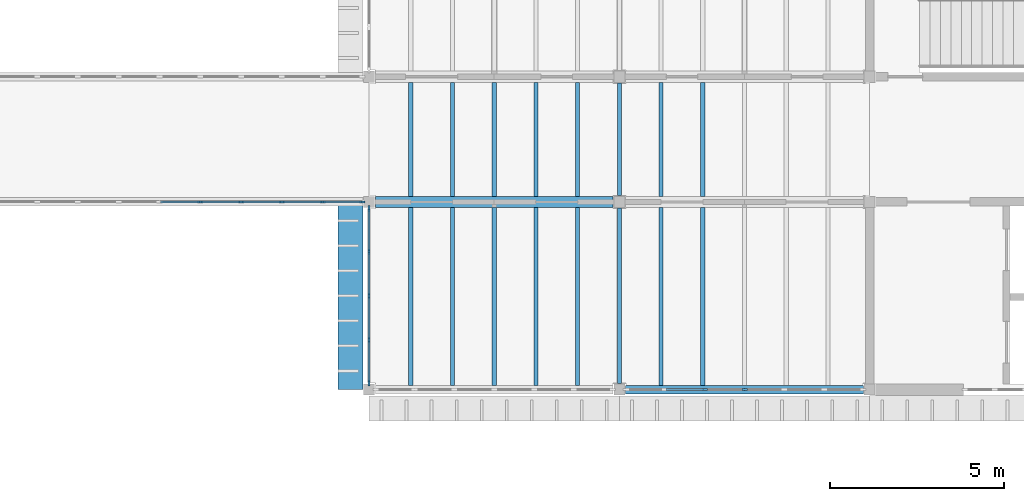
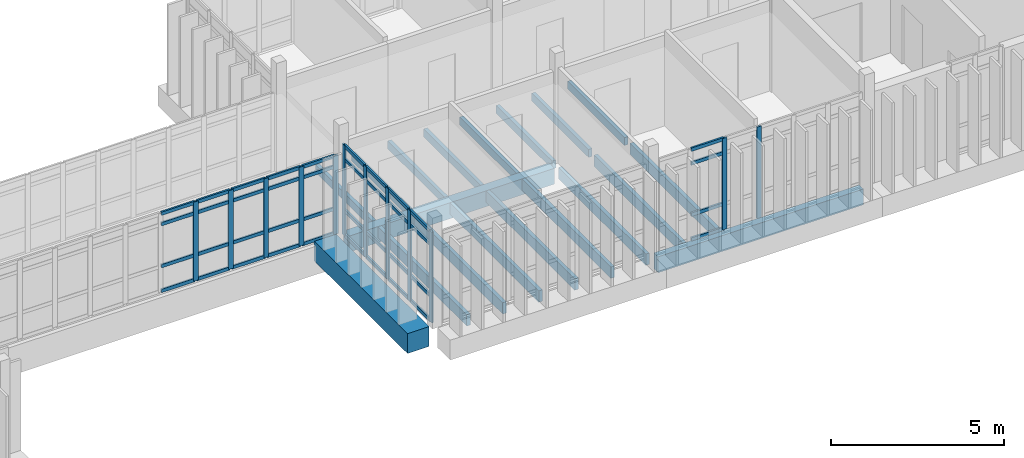
# One storey, part 15 of 71: 53 members, 18 beams, 3 elements without a shape of their own.
"""IFC4 building model written with IfcOpenShell, lengths in metres."""

from ifc_helpers import new_model, si_unit, direction, frame, origin, origin_2d, place, context, subcontext, project, spatial, rectangle, extrude, material, layer, layer_set, material_profile, profile_set, type_object, element, aggregate, save


model = new_model("IFC4")

# Units and contexts
model_context = context("Model", 3, precision=1e-05, world=origin(), true_north=direction((0.0, 1.0)))
body_context = subcontext(model_context, "Body", "Model", "MODEL_VIEW")
ifc_project = project(units=[si_unit("LENGTHUNIT", "METRE"), si_unit("AREAUNIT", "SQUARE_METRE"), si_unit("VOLUMEUNIT", "CUBIC_METRE"), si_unit("PLANEANGLEUNIT", "RADIAN"), si_unit("MASSUNIT", "GRAM", prefix="KILO")], contexts=[model_context])

# Site, building, storey
site_placement = place(None, origin())
site = spatial("IfcSite", under=ifc_project, at=site_placement, CompositionType="ELEMENT")
building_placement = place(site_placement, origin())
building = spatial("IfcBuilding", under=site, at=building_placement, Name="Mazhai Court Health Centre", CompositionType="ELEMENT")
storey_placement = place(building_placement, frame((0.0, 0.0, 10.199951171875)))
storey = spatial("IfcBuildingStorey", under=building, at=storey_placement, Name="L02", CompositionType="ELEMENT", Elevation=10.199951171875)

# Curtain wall, members
ifc_material_1 = material(Name="Teak timber frame, glazed", Category="wood")
ifc_layer = layer(ifc_material_1, 0.10009765625)
ifc_layer_set = layer_set([ifc_layer], Name="CURTAIN WALL TIMBER 1200")
curtain_wall_type = type_object("IfcCurtainWallType", Name="CURTAIN WALL TIMBER 1200", PredefinedType="NOTDEFINED", material=ifc_layer_set)
curtain_wall_1_placement = place(storey_placement, origin())
curtain_wall_1 = element("IfcCurtainWall", 1, at=curtain_wall_1_placement, inside=storey, type_object=curtain_wall_type, Name="CW-V4-L02-A6", PredefinedType="NOTDEFINED")
ifc_material_2 = material(Name="Teak timber", Category="wood")
ifc_material_profile_1 = material_profile(ifc_material_2, rectangle(XDim=0.06005859375, YDim=0.159912109375, at=origin_2d()), Name="CW MULLION 60x160")
ifc_profile_set_1 = profile_set([ifc_material_profile_1], Name="Teak timber")
member_type_1 = type_object("IfcMemberType", Name="CW MULLION 60x160", PredefinedType="MULLION", material=ifc_profile_set_1)
member_1_placement = place(storey_placement, frame((117.800048828125, 13.39990234375, 0.0), z_axis=(0.0, 0.0, 1.0), x_axis=(0.0, -1.0, 0.0)))
member_1 = element("IfcMember", 2, at=member_1_placement, type_object=member_type_1, Name="CW mullion 4", PredefinedType="MULLION", context=body_context, shape_type="SweptSolid", body=[
    extrude(rectangle(XDim=0.06005859375, YDim=0.159912109375, at=origin_2d()), origin(), (0.0, 0.0, 1.0), 3.219970703125),
])
member_2_placement = place(storey_placement, frame((116.6533203125, 13.39990234375, 0.0), z_axis=(0.0, 0.0, 1.0), x_axis=(0.0, -1.0, 0.0)))
member_2 = element("IfcMember", 3, at=member_2_placement, type_object=member_type_1, Name="CW mullion 5", PredefinedType="MULLION", context=body_context, shape_type="SweptSolid", body=[
    extrude(rectangle(XDim=0.06005859375, YDim=0.159912109375, at=origin_2d()), origin(), (0.0, 0.0, 1.0), 3.219970703125),
])

curtain_wall_2_placement = place(storey_placement, origin())
curtain_wall_2 = element("IfcCurtainWall", 4, at=curtain_wall_2_placement, inside=storey, type_object=curtain_wall_type, Name="CW-V4-L02-CW5-0", PredefinedType="NOTDEFINED")
member_3_placement = place(storey_placement, frame((107.0, 13.590087890625, 0.0), z_axis=(0.0, 0.0, 1.0), x_axis=(-1.0, 0.0, 0.0)))
member_3 = element("IfcMember", 5, at=member_3_placement, type_object=member_type_1, Name="CW mullion 1", PredefinedType="MULLION", context=body_context, shape_type="SweptSolid", body=[
    extrude(rectangle(XDim=0.06005859375, YDim=0.159912109375, at=origin_2d()), origin(), (0.0, 0.0, 1.0), 3.199951171875),
])
member_4_placement = place(storey_placement, frame((107.0, 14.830078125, 0.0), z_axis=(0.0, 0.0, 1.0), x_axis=(-1.0, 0.0, 0.0)))
member_4 = element("IfcMember", 6, at=member_4_placement, type_object=member_type_1, Name="CW mullion 2", PredefinedType="MULLION", context=body_context, shape_type="SweptSolid", body=[
    extrude(rectangle(XDim=0.06005859375, YDim=0.159912109375, at=origin_2d()), origin(), (0.0, 0.0, 1.0), 3.199951171875),
])
member_5_placement = place(storey_placement, frame((107.0, 16.10009765625, 0.0), z_axis=(0.0, 0.0, 1.0), x_axis=(-1.0, 0.0, 0.0)))
member_5 = element("IfcMember", 7, at=member_5_placement, type_object=member_type_1, Name="CW mullion 3", PredefinedType="MULLION", context=body_context, shape_type="SweptSolid", body=[
    extrude(rectangle(XDim=0.06005859375, YDim=0.159912109375, at=origin_2d()), origin(), (0.0, 0.0, 1.0), 3.199951171875),
])
member_6_placement = place(storey_placement, frame((107.0, 17.3701171875, 0.0), z_axis=(0.0, 0.0, 1.0), x_axis=(-1.0, 0.0, 0.0)))
member_6 = element("IfcMember", 8, at=member_6_placement, type_object=member_type_1, Name="CW mullion 4", PredefinedType="MULLION", context=body_context, shape_type="SweptSolid", body=[
    extrude(rectangle(XDim=0.06005859375, YDim=0.159912109375, at=origin_2d()), origin(), (0.0, 0.0, 1.0), 3.199951171875),
])
member_7_placement = place(storey_placement, frame((107.0, 18.610107421875, 0.0), z_axis=(0.0, 0.0, 1.0), x_axis=(-1.0, 0.0, 0.0)))
member_7 = element("IfcMember", 9, at=member_7_placement, type_object=member_type_1, Name="CW mullion 5", PredefinedType="MULLION", context=body_context, shape_type="SweptSolid", body=[
    extrude(rectangle(XDim=0.06005859375, YDim=0.159912109375, at=origin_2d()), origin(), (0.0, 0.0, 1.0), 3.199951171875),
])

curtain_wall_3_placement = place(storey_placement, origin())
curtain_wall_3 = element("IfcCurtainWall", 10, at=curtain_wall_3_placement, inside=storey, type_object=curtain_wall_type, Name="CW-BR-LC2-S", PredefinedType="NOTDEFINED")
member_8_placement = place(storey_placement, frame((102.146728515625, 18.800048828125, 0.0), z_axis=(0.0, 0.0, 1.0), x_axis=(0.0, 1.0, 0.0)))
member_8 = element("IfcMember", 11, at=member_8_placement, type_object=member_type_1, Name="CW mullion 9", PredefinedType="MULLION", context=body_context, shape_type="SweptSolid", body=[
    extrude(rectangle(XDim=0.06005859375, YDim=0.159912109375, at=origin_2d()), origin(), (0.0, 0.0, 1.0), 2.780029296875),
])
member_9_placement = place(storey_placement, frame((103.320068359375, 18.800048828125, 0.0), z_axis=(0.0, 0.0, 1.0), x_axis=(0.0, 1.0, 0.0)))
member_9 = element("IfcMember", 12, at=member_9_placement, type_object=member_type_1, Name="CW mullion 10", PredefinedType="MULLION", context=body_context, shape_type="SweptSolid", body=[
    extrude(rectangle(XDim=0.06005859375, YDim=0.159912109375, at=origin_2d()), origin(), (0.0, 0.0, 1.0), 2.780029296875),
])
member_10_placement = place(storey_placement, frame((104.493408203125, 18.800048828125, 0.0), z_axis=(0.0, 0.0, 1.0), x_axis=(0.0, 1.0, 0.0)))
member_10 = element("IfcMember", 13, at=member_10_placement, type_object=member_type_1, Name="CW mullion 11", PredefinedType="MULLION", context=body_context, shape_type="SweptSolid", body=[
    extrude(rectangle(XDim=0.06005859375, YDim=0.159912109375, at=origin_2d()), origin(), (0.0, 0.0, 1.0), 2.780029296875),
])
member_11_placement = place(storey_placement, frame((105.666748046875, 18.800048828125, 0.0), z_axis=(0.0, 0.0, 1.0), x_axis=(0.0, 1.0, 0.0)))
member_11 = element("IfcMember", 14, at=member_11_placement, type_object=member_type_1, Name="CW mullion 12", PredefinedType="MULLION", context=body_context, shape_type="SweptSolid", body=[
    extrude(rectangle(XDim=0.06005859375, YDim=0.159912109375, at=origin_2d()), origin(), (0.0, 0.0, 1.0), 2.780029296875),
])
member_12_placement = place(storey_placement, frame((106.81005859375, 18.800048828125, 0.0), z_axis=(0.0, 0.0, 1.0), x_axis=(0.0, 1.0, 0.0)))
member_12 = element("IfcMember", 15, at=member_12_placement, type_object=member_type_1, Name="CW mullion 13", PredefinedType="MULLION", context=body_context, shape_type="SweptSolid", body=[
    extrude(rectangle(XDim=0.06005859375, YDim=0.159912109375, at=origin_2d()), origin(), (0.0, 0.0, 1.0), 2.780029296875),
])

# Member
ifc_material_3 = material(Name="Teak timber", Category="wood")
ifc_material_profile_2 = material_profile(ifc_material_3, rectangle(XDim=0.06005859375, YDim=0.1201171875, at=origin_2d()), Name="CW TRANSOM 60x120")
ifc_profile_set_2 = profile_set([ifc_material_profile_2], Name="Teak timber")
member_type_2 = type_object("IfcMemberType", Name="CW TRANSOM 60x120", PredefinedType="USERDEFINED", material=ifc_profile_set_2)
member_13_placement = place(storey_placement, frame((116.623291015625, 13.39990234375, 0.030029296875), z_axis=(-1.0, 0.0, 0.0), x_axis=(0.0, -1.0, 0.0)))
member_13 = element("IfcMember", 16, at=member_13_placement, type_object=member_type_2, Name="CW transom 5.1", ObjectType="TRANSOM", PredefinedType="USERDEFINED", context=body_context, shape_type="SweptSolid", body=[
    extrude(rectangle(XDim=0.06005859375, YDim=0.1201171875, at=origin_2d()), origin(), (0.0, 0.0, 1.0), 1.086669921875),
])

member_14_placement = place(storey_placement, frame((116.623291015625, 13.39990234375, 0.900146484375), z_axis=(-1.0, 0.0, 0.0), x_axis=(0.0, -1.0, 0.0)))
member_14 = element("IfcMember", 17, at=member_14_placement, type_object=member_type_2, Name="CW transom 5.2", ObjectType="TRANSOM", PredefinedType="USERDEFINED", context=body_context, shape_type="SweptSolid", body=[
    extrude(rectangle(XDim=0.06005859375, YDim=0.1201171875, at=origin_2d()), origin(), (0.0, 0.0, 1.0), 1.086669921875),
])

member_15_placement = place(storey_placement, frame((116.623291015625, 13.39990234375, 2.699951171875), z_axis=(-1.0, 0.0, 0.0), x_axis=(0.0, -1.0, 0.0)))
member_15 = element("IfcMember", 18, at=member_15_placement, type_object=member_type_2, Name="CW transom 5.3", ObjectType="TRANSOM", PredefinedType="USERDEFINED", context=body_context, shape_type="SweptSolid", body=[
    extrude(rectangle(XDim=0.06005859375, YDim=0.1201171875, at=origin_2d()), origin(), (0.0, 0.0, 1.0), 1.086669921875),
])

member_16_placement = place(storey_placement, frame((116.623291015625, 13.39990234375, 3.18994140625), z_axis=(-1.0, 0.0, 0.0), x_axis=(0.0, -1.0, 0.0)))
member_16 = element("IfcMember", 19, at=member_16_placement, type_object=member_type_2, Name="CW transom 5.4", ObjectType="TRANSOM", PredefinedType="USERDEFINED", context=body_context, shape_type="SweptSolid", body=[
    extrude(rectangle(XDim=0.06005859375, YDim=0.1201171875, at=origin_2d()), origin(), (0.0, 0.0, 1.0), 1.086669921875),
])

aggregate(curtain_wall_1, [member_1, member_2, member_13, member_14, member_15, member_16])

member_17_placement = place(storey_placement, frame((107.0, 13.6201171875, 0.030029296875), z_axis=(0.0, 1.0, 0.0), x_axis=(-1.0, 0.0, 0.0)))
member_17 = element("IfcMember", 20, at=member_17_placement, type_object=member_type_2, Name="CW transom 1.1", ObjectType="TRANSOM", PredefinedType="USERDEFINED", context=body_context, shape_type="SweptSolid", body=[
    extrude(rectangle(XDim=0.06005859375, YDim=0.1201171875, at=origin_2d()), origin(), (0.0, 0.0, 1.0), 1.179931640625),
])

member_18_placement = place(storey_placement, frame((107.0, 13.6201171875, 0.900146484375), z_axis=(0.0, 1.0, 0.0), x_axis=(-1.0, 0.0, 0.0)))
member_18 = element("IfcMember", 21, at=member_18_placement, type_object=member_type_2, Name="CW transom 1.2", ObjectType="TRANSOM", PredefinedType="USERDEFINED", context=body_context, shape_type="SweptSolid", body=[
    extrude(rectangle(XDim=0.06005859375, YDim=0.1201171875, at=origin_2d()), origin(), (0.0, 0.0, 1.0), 1.179931640625),
])

member_19_placement = place(storey_placement, frame((107.0, 13.6201171875, 2.699951171875), z_axis=(0.0, 1.0, 0.0), x_axis=(-1.0, 0.0, 0.0)))
member_19 = element("IfcMember", 22, at=member_19_placement, type_object=member_type_2, Name="CW transom 1.3", ObjectType="TRANSOM", PredefinedType="USERDEFINED", context=body_context, shape_type="SweptSolid", body=[
    extrude(rectangle(XDim=0.06005859375, YDim=0.1201171875, at=origin_2d()), origin(), (0.0, 0.0, 1.0), 1.179931640625),
])

member_20_placement = place(storey_placement, frame((107.0, 13.6201171875, 3.170166015625), z_axis=(0.0, 1.0, 0.0), x_axis=(-1.0, 0.0, 0.0)))
member_20 = element("IfcMember", 23, at=member_20_placement, type_object=member_type_2, Name="CW transom 1.4", ObjectType="TRANSOM", PredefinedType="USERDEFINED", context=body_context, shape_type="SweptSolid", body=[
    extrude(rectangle(XDim=0.06005859375, YDim=0.1201171875, at=origin_2d()), origin(), (0.0, 0.0, 1.0), 1.179931640625),
])

member_21_placement = place(storey_placement, frame((107.0, 14.860107421875, 0.030029296875), z_axis=(0.0, 1.0, 0.0), x_axis=(-1.0, 0.0, 0.0)))
member_21 = element("IfcMember", 24, at=member_21_placement, type_object=member_type_2, Name="CW transom 2.1", ObjectType="TRANSOM", PredefinedType="USERDEFINED", context=body_context, shape_type="SweptSolid", body=[
    extrude(rectangle(XDim=0.06005859375, YDim=0.1201171875, at=origin_2d()), origin(), (0.0, 0.0, 1.0), 1.2099609375),
])

member_22_placement = place(storey_placement, frame((107.0, 14.860107421875, 0.900146484375), z_axis=(0.0, 1.0, 0.0), x_axis=(-1.0, 0.0, 0.0)))
member_22 = element("IfcMember", 25, at=member_22_placement, type_object=member_type_2, Name="CW transom 2.2", ObjectType="TRANSOM", PredefinedType="USERDEFINED", context=body_context, shape_type="SweptSolid", body=[
    extrude(rectangle(XDim=0.06005859375, YDim=0.1201171875, at=origin_2d()), origin(), (0.0, 0.0, 1.0), 1.2099609375),
])

member_23_placement = place(storey_placement, frame((107.0, 14.860107421875, 2.699951171875), z_axis=(0.0, 1.0, 0.0), x_axis=(-1.0, 0.0, 0.0)))
member_23 = element("IfcMember", 26, at=member_23_placement, type_object=member_type_2, Name="CW transom 2.3", ObjectType="TRANSOM", PredefinedType="USERDEFINED", context=body_context, shape_type="SweptSolid", body=[
    extrude(rectangle(XDim=0.06005859375, YDim=0.1201171875, at=origin_2d()), origin(), (0.0, 0.0, 1.0), 1.2099609375),
])

member_24_placement = place(storey_placement, frame((107.0, 14.860107421875, 3.170166015625), z_axis=(0.0, 1.0, 0.0), x_axis=(-1.0, 0.0, 0.0)))
member_24 = element("IfcMember", 27, at=member_24_placement, type_object=member_type_2, Name="CW transom 2.4", ObjectType="TRANSOM", PredefinedType="USERDEFINED", context=body_context, shape_type="SweptSolid", body=[
    extrude(rectangle(XDim=0.06005859375, YDim=0.1201171875, at=origin_2d()), origin(), (0.0, 0.0, 1.0), 1.2099609375),
])

member_25_placement = place(storey_placement, frame((107.0, 16.1298828125, 0.030029296875), z_axis=(0.0, 1.0, 0.0), x_axis=(-1.0, 0.0, 0.0)))
member_25 = element("IfcMember", 28, at=member_25_placement, type_object=member_type_2, Name="CW transom 3.1", ObjectType="TRANSOM", PredefinedType="USERDEFINED", context=body_context, shape_type="SweptSolid", body=[
    extrude(rectangle(XDim=0.06005859375, YDim=0.1201171875, at=origin_2d()), origin(), (0.0, 0.0, 1.0), 1.210205078125),
])

member_26_placement = place(storey_placement, frame((107.0, 16.1298828125, 0.900146484375), z_axis=(0.0, 1.0, 0.0), x_axis=(-1.0, 0.0, 0.0)))
member_26 = element("IfcMember", 29, at=member_26_placement, type_object=member_type_2, Name="CW transom 3.2", ObjectType="TRANSOM", PredefinedType="USERDEFINED", context=body_context, shape_type="SweptSolid", body=[
    extrude(rectangle(XDim=0.06005859375, YDim=0.1201171875, at=origin_2d()), origin(), (0.0, 0.0, 1.0), 1.210205078125),
])

member_27_placement = place(storey_placement, frame((107.0, 16.1298828125, 2.699951171875), z_axis=(0.0, 1.0, 0.0), x_axis=(-1.0, 0.0, 0.0)))
member_27 = element("IfcMember", 30, at=member_27_placement, type_object=member_type_2, Name="CW transom 3.3", ObjectType="TRANSOM", PredefinedType="USERDEFINED", context=body_context, shape_type="SweptSolid", body=[
    extrude(rectangle(XDim=0.06005859375, YDim=0.1201171875, at=origin_2d()), origin(), (0.0, 0.0, 1.0), 1.210205078125),
])

member_28_placement = place(storey_placement, frame((107.0, 16.1298828125, 3.170166015625), z_axis=(0.0, 1.0, 0.0), x_axis=(-1.0, 0.0, 0.0)))
member_28 = element("IfcMember", 31, at=member_28_placement, type_object=member_type_2, Name="CW transom 3.4", ObjectType="TRANSOM", PredefinedType="USERDEFINED", context=body_context, shape_type="SweptSolid", body=[
    extrude(rectangle(XDim=0.06005859375, YDim=0.1201171875, at=origin_2d()), origin(), (0.0, 0.0, 1.0), 1.210205078125),
])

member_29_placement = place(storey_placement, frame((107.0, 17.39990234375, 0.030029296875), z_axis=(0.0, 1.0, 0.0), x_axis=(-1.0, 0.0, 0.0)))
member_29 = element("IfcMember", 32, at=member_29_placement, type_object=member_type_2, Name="CW transom 4.1", ObjectType="TRANSOM", PredefinedType="USERDEFINED", context=body_context, shape_type="SweptSolid", body=[
    extrude(rectangle(XDim=0.06005859375, YDim=0.1201171875, at=origin_2d()), origin(), (0.0, 0.0, 1.0), 1.18017578125),
])

member_30_placement = place(storey_placement, frame((107.0, 17.39990234375, 0.900146484375), z_axis=(0.0, 1.0, 0.0), x_axis=(-1.0, 0.0, 0.0)))
member_30 = element("IfcMember", 33, at=member_30_placement, type_object=member_type_2, Name="CW transom 4.2", ObjectType="TRANSOM", PredefinedType="USERDEFINED", context=body_context, shape_type="SweptSolid", body=[
    extrude(rectangle(XDim=0.06005859375, YDim=0.1201171875, at=origin_2d()), origin(), (0.0, 0.0, 1.0), 1.18017578125),
])

member_31_placement = place(storey_placement, frame((107.0, 17.39990234375, 2.699951171875), z_axis=(0.0, 1.0, 0.0), x_axis=(-1.0, 0.0, 0.0)))
member_31 = element("IfcMember", 34, at=member_31_placement, type_object=member_type_2, Name="CW transom 4.3", ObjectType="TRANSOM", PredefinedType="USERDEFINED", context=body_context, shape_type="SweptSolid", body=[
    extrude(rectangle(XDim=0.06005859375, YDim=0.1201171875, at=origin_2d()), origin(), (0.0, 0.0, 1.0), 1.18017578125),
])

member_32_placement = place(storey_placement, frame((107.0, 17.39990234375, 3.170166015625), z_axis=(0.0, 1.0, 0.0), x_axis=(-1.0, 0.0, 0.0)))
member_32 = element("IfcMember", 35, at=member_32_placement, type_object=member_type_2, Name="CW transom 4.4", ObjectType="TRANSOM", PredefinedType="USERDEFINED", context=body_context, shape_type="SweptSolid", body=[
    extrude(rectangle(XDim=0.06005859375, YDim=0.1201171875, at=origin_2d()), origin(), (0.0, 0.0, 1.0), 1.18017578125),
])

aggregate(curtain_wall_2, [member_3, member_4, member_5, member_6, member_7, member_17, member_18, member_19, member_20, member_21, member_22, member_23, member_24, member_25, member_26, member_27, member_28, member_29, member_30, member_31, member_32])

member_33_placement = place(storey_placement, frame((101.00341796875, 18.800048828125, 0.030029296875), z_axis=(1.0, 0.0, 0.0), x_axis=(0.0, 1.0, 0.0)))
member_33 = element("IfcMember", 36, at=member_33_placement, type_object=member_type_2, Name="CW transom 8.1", ObjectType="TRANSOM", PredefinedType="USERDEFINED", context=body_context, shape_type="SweptSolid", body=[
    extrude(rectangle(XDim=0.06005859375, YDim=0.1201171875, at=origin_2d()), origin(), (0.0, 0.0, 1.0), 1.11328125),
])

member_34_placement = place(storey_placement, frame((101.00341796875, 18.800048828125, 0.900146484375), z_axis=(1.0, 0.0, 0.0), x_axis=(0.0, 1.0, 0.0)))
member_34 = element("IfcMember", 37, at=member_34_placement, type_object=member_type_2, Name="CW transom 8.2", ObjectType="TRANSOM", PredefinedType="USERDEFINED", context=body_context, shape_type="SweptSolid", body=[
    extrude(rectangle(XDim=0.06005859375, YDim=0.1201171875, at=origin_2d()), origin(), (0.0, 0.0, 1.0), 1.11328125),
])

member_35_placement = place(storey_placement, frame((101.00341796875, 18.800048828125, 2.380126953125), z_axis=(1.0, 0.0, 0.0), x_axis=(0.0, 1.0, 0.0)))
member_35 = element("IfcMember", 38, at=member_35_placement, type_object=member_type_2, Name="CW transom 8.3", ObjectType="TRANSOM", PredefinedType="USERDEFINED", context=body_context, shape_type="SweptSolid", body=[
    extrude(rectangle(XDim=0.06005859375, YDim=0.1201171875, at=origin_2d()), origin(), (0.0, 0.0, 1.0), 1.11328125),
])

member_36_placement = place(storey_placement, frame((101.00341796875, 18.800048828125, 2.75), z_axis=(1.0, 0.0, 0.0), x_axis=(0.0, 1.0, 0.0)))
member_36 = element("IfcMember", 39, at=member_36_placement, type_object=member_type_2, Name="CW transom 8.4", ObjectType="TRANSOM", PredefinedType="USERDEFINED", context=body_context, shape_type="SweptSolid", body=[
    extrude(rectangle(XDim=0.06005859375, YDim=0.1201171875, at=origin_2d()), origin(), (0.0, 0.0, 1.0), 1.11328125),
])

member_37_placement = place(storey_placement, frame((102.1767578125, 18.800048828125, 0.030029296875), z_axis=(1.0, 0.0, 0.0), x_axis=(0.0, 1.0, 0.0)))
member_37 = element("IfcMember", 40, at=member_37_placement, type_object=member_type_2, Name="CW transom 9.1", ObjectType="TRANSOM", PredefinedType="USERDEFINED", context=body_context, shape_type="SweptSolid", body=[
    extrude(rectangle(XDim=0.06005859375, YDim=0.1201171875, at=origin_2d()), origin(), (0.0, 0.0, 1.0), 1.11328125),
])

member_38_placement = place(storey_placement, frame((102.1767578125, 18.800048828125, 0.900146484375), z_axis=(1.0, 0.0, 0.0), x_axis=(0.0, 1.0, 0.0)))
member_38 = element("IfcMember", 41, at=member_38_placement, type_object=member_type_2, Name="CW transom 9.2", ObjectType="TRANSOM", PredefinedType="USERDEFINED", context=body_context, shape_type="SweptSolid", body=[
    extrude(rectangle(XDim=0.06005859375, YDim=0.1201171875, at=origin_2d()), origin(), (0.0, 0.0, 1.0), 1.11328125),
])

member_39_placement = place(storey_placement, frame((102.1767578125, 18.800048828125, 2.380126953125), z_axis=(1.0, 0.0, 0.0), x_axis=(0.0, 1.0, 0.0)))
member_39 = element("IfcMember", 42, at=member_39_placement, type_object=member_type_2, Name="CW transom 9.3", ObjectType="TRANSOM", PredefinedType="USERDEFINED", context=body_context, shape_type="SweptSolid", body=[
    extrude(rectangle(XDim=0.06005859375, YDim=0.1201171875, at=origin_2d()), origin(), (0.0, 0.0, 1.0), 1.11328125),
])

member_40_placement = place(storey_placement, frame((102.1767578125, 18.800048828125, 2.75), z_axis=(1.0, 0.0, 0.0), x_axis=(0.0, 1.0, 0.0)))
member_40 = element("IfcMember", 43, at=member_40_placement, type_object=member_type_2, Name="CW transom 9.4", ObjectType="TRANSOM", PredefinedType="USERDEFINED", context=body_context, shape_type="SweptSolid", body=[
    extrude(rectangle(XDim=0.06005859375, YDim=0.1201171875, at=origin_2d()), origin(), (0.0, 0.0, 1.0), 1.11328125),
])

member_41_placement = place(storey_placement, frame((103.35009765625, 18.800048828125, 0.030029296875), z_axis=(1.0, 0.0, 0.0), x_axis=(0.0, 1.0, 0.0)))
member_41 = element("IfcMember", 44, at=member_41_placement, type_object=member_type_2, Name="CW transom 10.1", ObjectType="TRANSOM", PredefinedType="USERDEFINED", context=body_context, shape_type="SweptSolid", body=[
    extrude(rectangle(XDim=0.06005859375, YDim=0.1201171875, at=origin_2d()), origin(), (0.0, 0.0, 1.0), 1.11328125),
])

member_42_placement = place(storey_placement, frame((103.35009765625, 18.800048828125, 0.900146484375), z_axis=(1.0, 0.0, 0.0), x_axis=(0.0, 1.0, 0.0)))
member_42 = element("IfcMember", 45, at=member_42_placement, type_object=member_type_2, Name="CW transom 10.2", ObjectType="TRANSOM", PredefinedType="USERDEFINED", context=body_context, shape_type="SweptSolid", body=[
    extrude(rectangle(XDim=0.06005859375, YDim=0.1201171875, at=origin_2d()), origin(), (0.0, 0.0, 1.0), 1.11328125),
])

member_43_placement = place(storey_placement, frame((103.35009765625, 18.800048828125, 2.380126953125), z_axis=(1.0, 0.0, 0.0), x_axis=(0.0, 1.0, 0.0)))
member_43 = element("IfcMember", 46, at=member_43_placement, type_object=member_type_2, Name="CW transom 10.3", ObjectType="TRANSOM", PredefinedType="USERDEFINED", context=body_context, shape_type="SweptSolid", body=[
    extrude(rectangle(XDim=0.06005859375, YDim=0.1201171875, at=origin_2d()), origin(), (0.0, 0.0, 1.0), 1.11328125),
])

member_44_placement = place(storey_placement, frame((103.35009765625, 18.800048828125, 2.75), z_axis=(1.0, 0.0, 0.0), x_axis=(0.0, 1.0, 0.0)))
member_44 = element("IfcMember", 47, at=member_44_placement, type_object=member_type_2, Name="CW transom 10.4", ObjectType="TRANSOM", PredefinedType="USERDEFINED", context=body_context, shape_type="SweptSolid", body=[
    extrude(rectangle(XDim=0.06005859375, YDim=0.1201171875, at=origin_2d()), origin(), (0.0, 0.0, 1.0), 1.11328125),
])

member_45_placement = place(storey_placement, frame((104.5234375, 18.800048828125, 0.030029296875), z_axis=(1.0, 0.0, 0.0), x_axis=(0.0, 1.0, 0.0)))
member_45 = element("IfcMember", 48, at=member_45_placement, type_object=member_type_2, Name="CW transom 11.1", ObjectType="TRANSOM", PredefinedType="USERDEFINED", context=body_context, shape_type="SweptSolid", body=[
    extrude(rectangle(XDim=0.06005859375, YDim=0.1201171875, at=origin_2d()), origin(), (0.0, 0.0, 1.0), 1.11328125),
])

member_46_placement = place(storey_placement, frame((104.5234375, 18.800048828125, 0.900146484375), z_axis=(1.0, 0.0, 0.0), x_axis=(0.0, 1.0, 0.0)))
member_46 = element("IfcMember", 49, at=member_46_placement, type_object=member_type_2, Name="CW transom 11.2", ObjectType="TRANSOM", PredefinedType="USERDEFINED", context=body_context, shape_type="SweptSolid", body=[
    extrude(rectangle(XDim=0.06005859375, YDim=0.1201171875, at=origin_2d()), origin(), (0.0, 0.0, 1.0), 1.11328125),
])

member_47_placement = place(storey_placement, frame((104.5234375, 18.800048828125, 2.380126953125), z_axis=(1.0, 0.0, 0.0), x_axis=(0.0, 1.0, 0.0)))
member_47 = element("IfcMember", 50, at=member_47_placement, type_object=member_type_2, Name="CW transom 11.3", ObjectType="TRANSOM", PredefinedType="USERDEFINED", context=body_context, shape_type="SweptSolid", body=[
    extrude(rectangle(XDim=0.06005859375, YDim=0.1201171875, at=origin_2d()), origin(), (0.0, 0.0, 1.0), 1.11328125),
])

member_48_placement = place(storey_placement, frame((104.5234375, 18.800048828125, 2.75), z_axis=(1.0, 0.0, 0.0), x_axis=(0.0, 1.0, 0.0)))
member_48 = element("IfcMember", 51, at=member_48_placement, type_object=member_type_2, Name="CW transom 11.4", ObjectType="TRANSOM", PredefinedType="USERDEFINED", context=body_context, shape_type="SweptSolid", body=[
    extrude(rectangle(XDim=0.06005859375, YDim=0.1201171875, at=origin_2d()), origin(), (0.0, 0.0, 1.0), 1.11328125),
])

member_49_placement = place(storey_placement, frame((105.69677734375, 18.800048828125, 0.030029296875), z_axis=(1.0, 0.0, 0.0), x_axis=(0.0, 1.0, 0.0)))
member_49 = element("IfcMember", 52, at=member_49_placement, type_object=member_type_2, Name="CW transom 12.1", ObjectType="TRANSOM", PredefinedType="USERDEFINED", context=body_context, shape_type="SweptSolid", body=[
    extrude(rectangle(XDim=0.06005859375, YDim=0.1201171875, at=origin_2d()), origin(), (0.0, 0.0, 1.0), 1.083251953125),
])

member_50_placement = place(storey_placement, frame((105.69677734375, 18.800048828125, 0.900146484375), z_axis=(1.0, 0.0, 0.0), x_axis=(0.0, 1.0, 0.0)))
member_50 = element("IfcMember", 53, at=member_50_placement, type_object=member_type_2, Name="CW transom 12.2", ObjectType="TRANSOM", PredefinedType="USERDEFINED", context=body_context, shape_type="SweptSolid", body=[
    extrude(rectangle(XDim=0.06005859375, YDim=0.1201171875, at=origin_2d()), origin(), (0.0, 0.0, 1.0), 1.083251953125),
])

member_51_placement = place(storey_placement, frame((105.69677734375, 18.800048828125, 2.380126953125), z_axis=(1.0, 0.0, 0.0), x_axis=(0.0, 1.0, 0.0)))
member_51 = element("IfcMember", 54, at=member_51_placement, type_object=member_type_2, Name="CW transom 12.3", ObjectType="TRANSOM", PredefinedType="USERDEFINED", context=body_context, shape_type="SweptSolid", body=[
    extrude(rectangle(XDim=0.06005859375, YDim=0.1201171875, at=origin_2d()), origin(), (0.0, 0.0, 1.0), 1.083251953125),
])

member_52_placement = place(storey_placement, frame((105.69677734375, 18.800048828125, 2.75), z_axis=(1.0, 0.0, 0.0), x_axis=(0.0, 1.0, 0.0)))
member_52 = element("IfcMember", 55, at=member_52_placement, type_object=member_type_2, Name="CW transom 12.4", ObjectType="TRANSOM", PredefinedType="USERDEFINED", context=body_context, shape_type="SweptSolid", body=[
    extrude(rectangle(XDim=0.06005859375, YDim=0.1201171875, at=origin_2d()), origin(), (0.0, 0.0, 1.0), 1.083251953125),
])

aggregate(curtain_wall_3, [member_8, member_9, member_10, member_11, member_12, member_33, member_34, member_35, member_36, member_37, member_38, member_39, member_40, member_41, member_42, member_43, member_44, member_45, member_46, member_47, member_48, member_49, member_50, member_51, member_52])

ifc_material_4 = material(Name="Glulam GL24h", Category="wood")
ifc_material_profile_3 = material_profile(ifc_material_4, rectangle(XDim=0.719970703125, YDim=0.699951171875, at=origin_2d()), Name="FIN RAIL 720x700")
ifc_profile_set_3 = profile_set([ifc_material_profile_3], Name="Glulam GL24h")
member_type_3 = type_object("IfcMemberType", Name="FIN RAIL 720x700", PredefinedType="USERDEFINED", material=ifc_profile_set_3)
member_53_placement = place(storey_placement, frame((106.4599609375, 13.39990234375, -0.349853515625), z_axis=(0.0, 1.0, 0.0), x_axis=(-1.0, 0.0, 0.0)))
element("IfcMember", 56, at=member_53_placement, inside=storey, type_object=member_type_3, Name="FR-V4-CW5-0-L02", ObjectType="FIN RAIL", PredefinedType="USERDEFINED", context=body_context, shape_type="SweptSolid", body=[
    extrude(rectangle(XDim=0.719970703125, YDim=0.699951171875, at=origin_2d()), origin(), (0.0, 0.0, 1.0), 5.400146484375),
])

# Beams
ifc_material_5 = material(Name="Glulam GL24h", Category="wood")
ifc_material_profile_4 = material_profile(ifc_material_5, rectangle(XDim=0.1201171875, YDim=0.280029296875, at=origin_2d()), Name="GL24h 120x280")
ifc_profile_set_4 = profile_set([ifc_material_profile_4], Name="Glulam GL24h")
beam_type_1 = type_object("IfcBeamType", Name="GL24h 120x280 joist", PredefinedType="JOIST", material=ifc_profile_set_4)
for number, where, z_axis, x_axis, name in (
    (57, (108.199951171875, 18.9599609375, -0.260009765625), (0.0, 1.0, 0.0), (-1.0, 0.0, 0.0), "joist-V4-L02-5-B1"),
    (58, (109.39990234375, 18.9599609375, -0.260009765625), (0.0, 1.0, 0.0), (-1.0, 0.0, 0.0), "joist-V4-L02-5-B2"),
    (59, (110.60009765625, 18.9599609375, -0.260009765625), (0.0, 1.0, 0.0), (-1.0, 0.0, 0.0), "joist-V4-L02-5-B3"),
    (60, (111.800048828125, 18.9599609375, -0.260009765625), (0.0, 1.0, 0.0), (-1.0, 0.0, 0.0), "joist-V4-L02-5-B4"),
    (61, (113.0, 18.9599609375, -0.260009765625), (0.0, 1.0, 0.0), (-1.0, 0.0, 0.0), "joist-V4-L02-5-B5"),
):
    element("IfcBeam", number, at=place(storey_placement, frame(where, z_axis=z_axis, x_axis=x_axis)), inside=storey, type_object=beam_type_1, Name=name, PredefinedType="JOIST", context=body_context, shape_type="SweptSolid", body=[
        extrude(rectangle(XDim=0.1201171875, YDim=0.280029296875, at=origin_2d()), origin(), (0.0, 0.0, 1.0), 3.280029296875),
    ])
beam_1_placement = place(storey_placement, frame((114.199951171875, 18.97998046875, -0.260009765625), z_axis=(0.0, 1.0, 0.0), x_axis=(-1.0, 0.0, 0.0)))
element("IfcBeam", 62, at=beam_1_placement, inside=storey, type_object=beam_type_1, Name="joist-V4-L02-6-B0", PredefinedType="JOIST", context=body_context, shape_type="SweptSolid", body=[
    extrude(rectangle(XDim=0.1201171875, YDim=0.280029296875, at=origin_2d()), origin(), (0.0, 0.0, 1.0), 3.239990234375),
])
for number, where, z_axis, x_axis, name in (
    (63, (115.39990234375, 18.9599609375, -0.260009765625), (0.0, 1.0, 0.0), (-1.0, 0.0, 0.0), "joist-V4-L02-6-B1"),
    (64, (116.60009765625, 18.9599609375, -0.260009765625), (0.0, 1.0, 0.0), (-1.0, 0.0, 0.0), "joist-V4-L02-6-B2"),
):
    element("IfcBeam", number, at=place(storey_placement, frame(where, z_axis=z_axis, x_axis=x_axis)), inside=storey, type_object=beam_type_1, Name=name, PredefinedType="JOIST", context=body_context, shape_type="SweptSolid", body=[
        extrude(rectangle(XDim=0.1201171875, YDim=0.280029296875, at=origin_2d()), origin(), (0.0, 0.0, 1.0), 3.280029296875),
    ])
ifc_material_6 = material(Name="Glulam GL24h", Category="wood")
ifc_material_profile_5 = material_profile(ifc_material_6, rectangle(XDim=0.1201171875, YDim=0.39990234375, at=origin_2d()), Name="GL24h 120x400")
ifc_profile_set_5 = profile_set([ifc_material_profile_5], Name="Glulam GL24h")
beam_type_2 = type_object("IfcBeamType", Name="GL24h 120x400 joist", PredefinedType="JOIST", material=ifc_profile_set_5)
for number, where, z_axis, x_axis, name in (
    (65, (108.199951171875, 13.52001953125, -0.320068359375), (0.0, 1.0, 0.0), (-1.0, 0.0, 0.0), "joist-V4-L02-5-A1"),
    (66, (109.39990234375, 13.52001953125, -0.320068359375), (0.0, 1.0, 0.0), (-1.0, 0.0, 0.0), "joist-V4-L02-5-A2"),
    (67, (110.60009765625, 13.52001953125, -0.320068359375), (0.0, 1.0, 0.0), (-1.0, 0.0, 0.0), "joist-V4-L02-5-A3"),
    (68, (111.800048828125, 13.52001953125, -0.320068359375), (0.0, 1.0, 0.0), (-1.0, 0.0, 0.0), "joist-V4-L02-5-A4"),
    (69, (113.0, 13.52001953125, -0.320068359375), (0.0, 1.0, 0.0), (-1.0, 0.0, 0.0), "joist-V4-L02-5-A5"),
):
    element("IfcBeam", number, at=place(storey_placement, frame(where, z_axis=z_axis, x_axis=x_axis)), inside=storey, type_object=beam_type_2, Name=name, PredefinedType="JOIST", context=body_context, shape_type="SweptSolid", body=[
        extrude(rectangle(XDim=0.1201171875, YDim=0.39990234375, at=origin_2d()), origin(), (0.0, 0.0, 1.0), 5.119873046875),
    ])
beam_2_placement = place(storey_placement, frame((114.199951171875, 13.580078125, -0.320068359375), z_axis=(0.0, 1.0, 0.0), x_axis=(-1.0, 0.0, 0.0)))
element("IfcBeam", 70, at=beam_2_placement, inside=storey, type_object=beam_type_2, Name="joist-V4-L02-6-A0", PredefinedType="JOIST", context=body_context, shape_type="SweptSolid", body=[
    extrude(rectangle(XDim=0.1201171875, YDim=0.39990234375, at=origin_2d()), origin(), (0.0, 0.0, 1.0), 5.0400390625),
])
for number, where, z_axis, x_axis, name in (
    (71, (115.39990234375, 13.52001953125, -0.320068359375), (0.0, 1.0, 0.0), (-1.0, 0.0, 0.0), "joist-V4-L02-6-A1"),
    (72, (116.60009765625, 13.52001953125, -0.320068359375), (0.0, 1.0, 0.0), (-1.0, 0.0, 0.0), "joist-V4-L02-6-A2"),
):
    element("IfcBeam", number, at=place(storey_placement, frame(where, z_axis=z_axis, x_axis=x_axis)), inside=storey, type_object=beam_type_2, Name=name, PredefinedType="JOIST", context=body_context, shape_type="SweptSolid", body=[
        extrude(rectangle(XDim=0.1201171875, YDim=0.39990234375, at=origin_2d()), origin(), (0.0, 0.0, 1.0), 5.119873046875),
    ])
ifc_material_7 = material(Name="Glulam GL28h", Category="wood")
ifc_material_profile_6 = material_profile(ifc_material_7, rectangle(XDim=0.239990234375, YDim=0.56005859375, at=origin_2d()), Name="GL28h 240x560")
ifc_profile_set_6 = profile_set([ifc_material_profile_6], Name="Glulam GL28h")
beam_type_3 = type_object("IfcBeamType", Name="GL28h 240x560 beam", PredefinedType="BEAM", material=ifc_profile_set_6)
beam_3_placement = place(storey_placement, frame((114.3798828125, 13.39990234375, -0.39990234375), z_axis=(1.0, 0.0, 0.0), x_axis=(0.0, 1.0, 0.0)))
element("IfcBeam", 73, at=beam_3_placement, inside=storey, type_object=beam_type_3, Name="beam-V4-L02-6-A", PredefinedType="BEAM", context=body_context, shape_type="SweptSolid", body=[
    extrude(rectangle(XDim=0.239990234375, YDim=0.56005859375, at=origin_2d()), origin(), (0.0, 0.0, 1.0), 6.840087890625),
])
ifc_material_8 = material(Name="Glulam GL28h", Category="wood")
ifc_material_profile_7 = material_profile(ifc_material_8, rectangle(XDim=0.320068359375, YDim=0.56005859375, at=origin_2d()), Name="GL28h 320x560")
ifc_profile_set_7 = profile_set([ifc_material_profile_7], Name="Glulam GL28h")
beam_type_4 = type_object("IfcBeamType", Name="GL28h 320x560 beam", PredefinedType="BEAM", material=ifc_profile_set_7)
beam_4_placement = place(storey_placement, frame((107.179931640625, 18.800048828125, -0.39990234375), z_axis=(1.0, 0.0, 0.0), x_axis=(0.0, 1.0, 0.0)))
element("IfcBeam", 74, at=beam_4_placement, inside=storey, type_object=beam_type_4, Name="beam-V4-L02-5-B", PredefinedType="BEAM", context=body_context, shape_type="SweptSolid", body=[
    extrude(rectangle(XDim=0.320068359375, YDim=0.56005859375, at=origin_2d()), origin(), (0.0, 0.0, 1.0), 6.840087890625),
])

save(model, "model.ifc")
